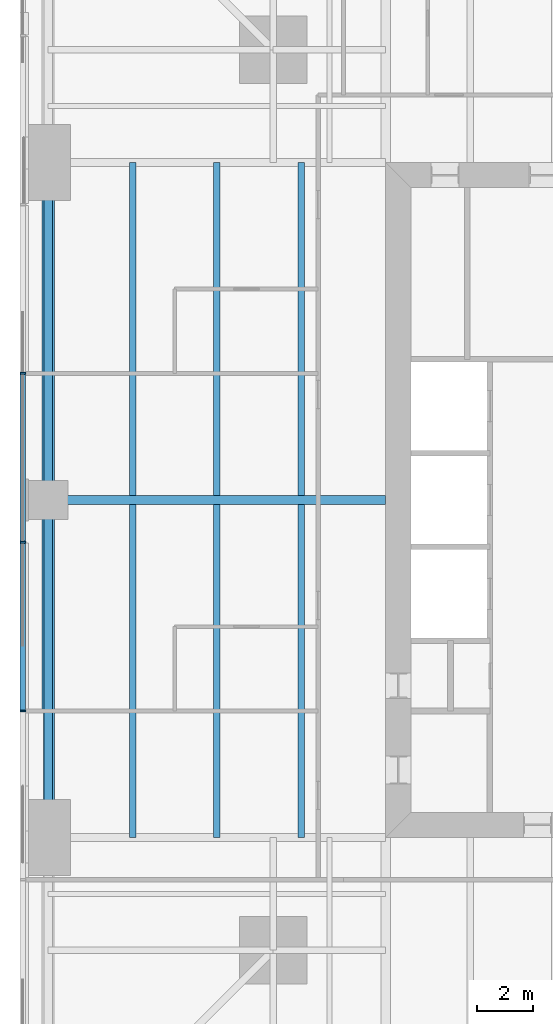
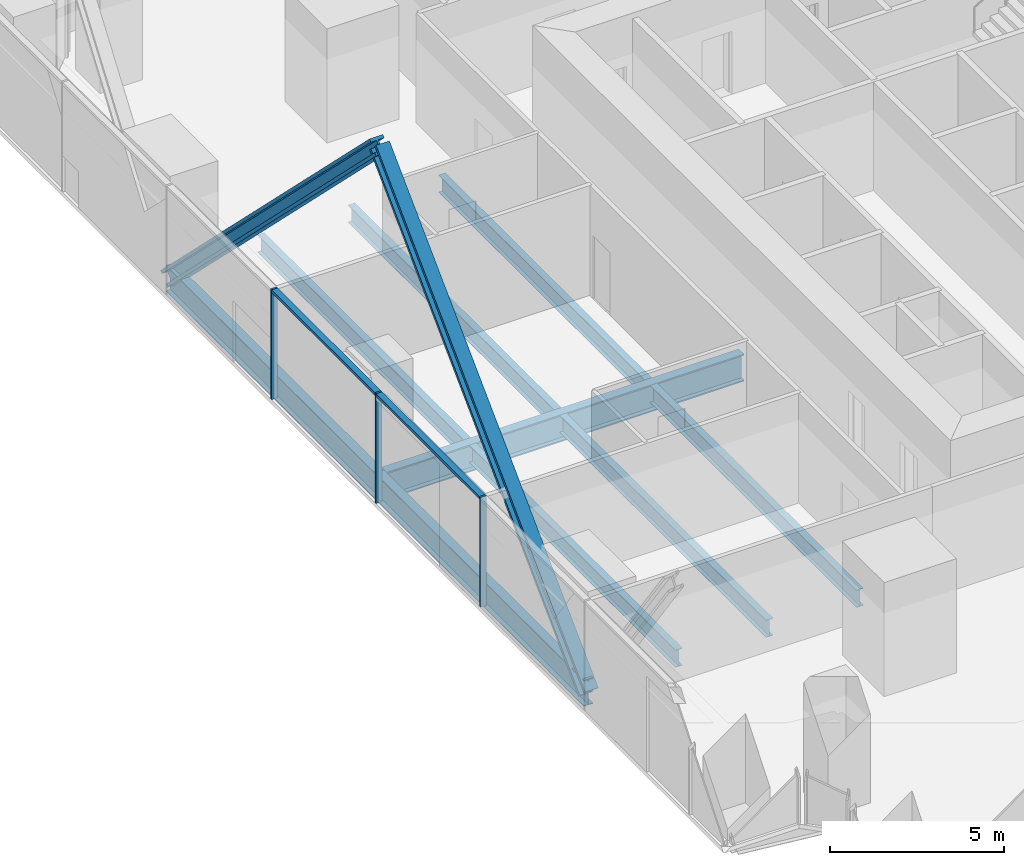
# One storey, part 4 of 14: 9 beams, 7 members, 1 element without a shape of its own.
"""IFC4 building model written with IfcOpenShell, lengths in metres."""

import ifcopenshell
import ifcopenshell.guid

model = None  # the IFC model being written
_history = None  # IfcOwnerHistory: only IFC2X3 demands one
_inside = {}  # id of a spatial element -> (the spatial element, [elements in it])
_under = {}  # id of a project, library or spatial element -> (it, [spatial elements below it])
_declared = {}  # id of a project -> (the project, [libraries it declares])
_typed = {}  # id of a type object -> (the type object, [elements of that type])
_made_of = {}  # id of a material, layer set ... -> (it, [elements and type objects made of it])


def new_model(schema):
    """Start an empty IFC model of exactly this schema.

    Asked for "IFC4X3", IfcOpenShell would pick the latest addendum, in which some entities
    have other attributes; the version numbers below select the first issue.
    IFC2X3 requires an IfcOwnerHistory on every rooted entity: one is made here for all.
    """
    global model, _history
    if schema == "IFC4X3":
        model = ifcopenshell.file(schema_version=(4, 3, 0, 0))
    else:
        model = ifcopenshell.file(schema=schema)
    _inside.clear()
    _under.clear()
    _declared.clear()
    _typed.clear()
    _made_of.clear()
    _history = None
    if model.schema == "IFC2X3":
        org = make("IfcOrganization", Name="unknown")
        user = make(
            "IfcPersonAndOrganization",
            ThePerson=make("IfcPerson", FamilyName="unknown"),
            TheOrganization=org,
        )
        app = make(
            "IfcApplication",
            ApplicationDeveloper=org,
            Version="unknown",
            ApplicationFullName="unknown",
            ApplicationIdentifier="unknown",
        )
        _history = make(
            "IfcOwnerHistory",
            OwningUser=user,
            OwningApplication=app,
            ChangeAction="ADDED",
            CreationDate=0,
        )
    return model


def make(cls, **values):
    """One entity of the class cls with the attributes given. An attribute that is None is left unset."""
    return model.create_entity(
        cls, **{name: value for name, value in values.items() if value is not None}
    )


def rooted(cls, **values):
    """An entity with a GlobalId (a new one), such as an element, a storey or a relation."""
    return make(cls, GlobalId=ifcopenshell.guid.new(), OwnerHistory=_history, **values)


def si_unit(unit_type, name, prefix=None):
    """IfcSIUnit, for example si_unit("LENGTHUNIT", "METRE", prefix="MILLI")."""
    return make("IfcSIUnit", UnitType=unit_type, Prefix=prefix, Name=name)


def assignment(units):
    """IfcUnitAssignment: the units of a project."""
    return None if units is None else make("IfcUnitAssignment", Units=units)


def point(xyz):
    """IfcCartesianPoint."""
    return None if xyz is None else make("IfcCartesianPoint", Coordinates=xyz)


def direction(xyz):
    """IfcDirection."""
    return None if xyz is None else make("IfcDirection", DirectionRatios=xyz)


def frame(location, z_axis=None, x_axis=None):
    """IfcAxis2Placement3D, a coordinate frame: its origin and axes. An axis left out is left unset."""
    return make(
        "IfcAxis2Placement3D",
        Location=point(location),
        Axis=direction(z_axis),
        RefDirection=direction(x_axis),
    )


def frame_2d(location, x_axis=None):
    """IfcAxis2Placement2D, a coordinate frame in the plane: its origin and x axis."""
    return make(
        "IfcAxis2Placement2D", Location=point(location), RefDirection=direction(x_axis)
    )


def origin():
    """The frame at (0, 0, 0) with its axes left unset."""
    return frame((0.0, 0.0, 0.0))


def origin_2d():
    """The frame at (0, 0) in the plane with its x axis left unset."""
    return frame_2d((0.0, 0.0))


def place(relative_to, where):
    """IfcLocalPlacement: puts the frame where relative to a parent placement (None: the world)."""
    return make(
        "IfcLocalPlacement", PlacementRelTo=relative_to, RelativePlacement=where
    )


def context(
    kind, dimensions, precision=None, world=None, true_north=None, identifier=None
):
    """IfcGeometricRepresentationContext, for example the 3D "Model" context."""
    return make(
        "IfcGeometricRepresentationContext",
        ContextIdentifier=identifier,
        ContextType=kind,
        CoordinateSpaceDimension=dimensions,
        Precision=precision,
        WorldCoordinateSystem=world,
        TrueNorth=true_north,
    )


def subcontext(parent, identifier, kind, view, scale=None):
    """IfcGeometricRepresentationSubContext, for example "Body" below "Model"."""
    return make(
        "IfcGeometricRepresentationSubContext",
        ContextIdentifier=identifier,
        ContextType=kind,
        ParentContext=parent,
        TargetScale=scale,
        TargetView=view,
    )


def project(units=None, contexts=None):
    """IfcProject with its units and contexts."""
    return rooted(
        "IfcProject",
        Name="project",
        RepresentationContexts=contexts,
        UnitsInContext=assignment(units),
    )


def spatial(cls, under=None, at=None, **own):
    """A site, building, storey or space (cls), placed at a placement, below another one or the project."""
    s = rooted(cls, ObjectPlacement=at, **own)
    if under is not None:
        _under.setdefault(under.id(), (under, []))[1].append(s)
    return s


def profile(cls, at=None, kind="AREA", **sizes):
    """A parametric profile (cls). Its sizes go by their IFC names, for example OverallWidth=200.0."""
    return make(cls, ProfileType=kind, Position=at, **sizes)


def rectangle(**sizes):
    """IfcRectangleProfileDef."""
    return profile("IfcRectangleProfileDef", **sizes)


def i_section(**sizes):
    """IfcIShapeProfileDef."""
    return profile("IfcIShapeProfileDef", **sizes)


def extrude(swept, where, along, depth):
    """IfcExtrudedAreaSolid: the profile swept, set in the frame where, extruded along a direction by depth."""
    return make(
        "IfcExtrudedAreaSolid",
        SweptArea=swept,
        Position=where,
        ExtrudedDirection=direction(along),
        Depth=depth,
    )


def shape(context_of_items, identifier, shape_type, items):
    """IfcShapeRepresentation: the items that make up one representation, for example the "Body"."""
    return make(
        "IfcShapeRepresentation",
        ContextOfItems=context_of_items,
        RepresentationIdentifier=identifier,
        RepresentationType=shape_type,
        Items=items,
    )


def material(Name=None, Category=None):
    """IfcMaterial."""
    return make("IfcMaterial", Name=Name, Category=Category)


def material_profile(
    of_material, cross_section, Name=None, Category=None, Priority=None
):
    """IfcMaterialProfile: a cross section and its material."""
    return make(
        "IfcMaterialProfile",
        Name=Name,
        Material=of_material,
        Profile=cross_section,
        Priority=Priority,
        Category=Category,
    )


def profile_set(profiles, Name=None, composite=None):
    """IfcMaterialProfileSet."""
    return make(
        "IfcMaterialProfileSet",
        Name=Name,
        MaterialProfiles=profiles,
        CompositeProfile=composite,
    )


def made_of(thing, what):
    """Note that an element or type object is made of a material, layer set ...; save() writes the relation."""
    if what is not None:
        _made_of.setdefault(what.id(), (what, []))[1].append(thing)
    return thing


def type_object(cls, material=None, **own):
    """A type object (cls), such as IfcWallType, which elements share."""
    return made_of(rooted(cls, **own), material)


def element(
    cls,
    number,
    at=None,
    inside=None,
    cuts=None,
    type_object=None,
    material=None,
    context=None,
    identifier="Body",
    shape_type=None,
    held_by="IfcProductDefinitionShape",
    body=None,
    shapes=None,
    **own,
):
    """One element of the class cls, such as IfcWall. Its Tag is "e" and its number.

    at: its placement. inside: the storey or other place that contains it. cuts: it is an
    opening in that element (IfcRelVoidsElement). A single representation is given by context,
    identifier, shape_type and body (its items); several are given by shapes. held_by: the class
    of the entity that holds the representations. save() writes the other relations.
    """
    e = rooted(cls, Tag="e%d" % number, ObjectPlacement=at, **own)
    if body is not None:
        shapes = [shape(context, identifier, shape_type, body)]
    if shapes is not None:
        e.Representation = make(held_by, Representations=shapes)
    if inside is not None:
        _inside.setdefault(inside.id(), (inside, []))[1].append(e)
    if cuts is not None:
        rooted(
            "IfcRelVoidsElement", RelatingBuildingElement=cuts, RelatedOpeningElement=e
        )
    if type_object is not None:
        _typed.setdefault(type_object.id(), (type_object, []))[1].append(e)
    return made_of(e, material)


def aggregate(whole, parts):
    """IfcRelAggregates: a whole, such as a stair, and the parts it consists of."""
    return rooted("IfcRelAggregates", RelatingObject=whole, RelatedObjects=parts)


def save(model, path):
    """Write the relations noted so far, then the file.

    IfcRelAggregates (storeys below a building ...), IfcRelContainedInSpatialStructure (elements
    in a storey), IfcRelDefinesByType, IfcRelAssociatesMaterial and IfcRelDeclares: one each for
    every whole, place, type object, material and project.
    """
    for whole, parts in _under.values():
        aggregate(whole, parts)
    for where, things in _inside.values():
        rooted(
            "IfcRelContainedInSpatialStructure",
            RelatedElements=things,
            RelatingStructure=where,
        )
    for kind, things in _typed.values():
        rooted("IfcRelDefinesByType", RelatedObjects=things, RelatingType=kind)
    for what, things in _made_of.values():
        rooted("IfcRelAssociatesMaterial", RelatedObjects=things, RelatingMaterial=what)
    for by, libraries in _declared.values():
        rooted("IfcRelDeclares", RelatingContext=by, RelatedDefinitions=libraries)
    model.write(path)


model = new_model("IFC4")

# Units and contexts
model_context = context("Model", 3, precision=1e-05, world=origin(), true_north=direction((0.0, 1.0)))
body_context = subcontext(model_context, "Body", "Model", "MODEL_VIEW")
ifc_project = project(units=[si_unit("LENGTHUNIT", "METRE"), si_unit("AREAUNIT", "SQUARE_METRE"), si_unit("VOLUMEUNIT", "CUBIC_METRE"), si_unit("PLANEANGLEUNIT", "RADIAN"), si_unit("MASSUNIT", "GRAM", prefix="KILO")], contexts=[model_context])

# Site, building, storey
site_placement = place(None, origin())
site = spatial("IfcSite", under=ifc_project, at=site_placement, CompositionType="ELEMENT")
building_placement = place(site_placement, origin())
building = spatial("IfcBuilding", under=site, at=building_placement, Name="Fenwick Lantern Interchange", CompositionType="ELEMENT")
storey_placement = place(building_placement, frame((0.0, 0.0, 79.0)))
storey = spatial("IfcBuildingStorey", under=building, at=storey_placement, Name="L18", CompositionType="ELEMENT", Elevation=79.0)

# Beams
ifc_material_1 = material(Name="Steel ASTM A992 Grade 50", Category="steel")
ifc_material_profile_1 = material_profile(ifc_material_1, i_section(OverallWidth=0.3046875, OverallDepth=0.911865234375, WebThickness=0.015869140625, FlangeThickness=0.02392578125, at=origin_2d()), Name="W36X150")
ifc_profile_set_1 = profile_set([ifc_material_profile_1], Name="Steel ASTM A992 Grade 50")
beam_type_1 = type_object("IfcBeamType", Name="EDGE BEAM W36X150", PredefinedType="SPANDREL", material=ifc_profile_set_1)
for number, where, z_axis, x_axis, name in (
    (1, (1.0, 37.0, -0.60595703125), (0.0, -1.0, 0.0), (1.0, 0.0, 0.0), "L18/FR/W/EB2"),
    (2, (1.0, 25.0, -0.60595703125), (0.0, -1.0, 0.0), (1.0, 0.0, 0.0), "L18/FR/W/EB3"),
):
    element("IfcBeam", number, at=place(storey_placement, frame(where, z_axis=z_axis, x_axis=x_axis)), inside=storey, type_object=beam_type_1, Name=name, PredefinedType="SPANDREL", context=body_context, shape_type="SweptSolid", body=[
        extrude(i_section(OverallWidth=0.3046875, OverallDepth=0.911865234375, WebThickness=0.015869140625, FlangeThickness=0.02392578125, at=origin_2d()), origin(), (0.0, 0.0, 1.0), 12.0),
    ])

# Members
ifc_material_profile_2 = material_profile(ifc_material_1, i_section(OverallWidth=0.44189453125, OverallDepth=0.53076171875, WebThickness=0.06591796875, FlangeThickness=0.105712890625, at=origin_2d()), Name="W14X605")
ifc_profile_set_2 = profile_set([ifc_material_profile_2], Name="Steel ASTM A992 Grade 50")
member_type_1 = type_object("IfcMemberType", Name="FACADE BRACE W14X605", PredefinedType="BRACE", material=ifc_profile_set_2)
for number, where, z_axis, x_axis, name in (
    (3, (1.0, 37.0, -0.60595703125), (0.0, -0.710495562956, 0.703701680416), (1.0, 0.0, 0.0), "L18/FB/W/A"),
    (4, (1.0, 13.0, -0.60595703125), (0.0, 0.710495562956, 0.703701680416), (-1.0, 0.0, 0.0), "L18/FB/W/B"),
):
    element("IfcMember", number, at=place(storey_placement, frame(where, z_axis=z_axis, x_axis=x_axis)), inside=storey, type_object=member_type_1, Name=name, PredefinedType="BRACE", context=body_context, shape_type="SweptSolid", body=[
        extrude(i_section(OverallWidth=0.44189453125, OverallDepth=0.53076171875, WebThickness=0.06591796875, FlangeThickness=0.105712890625, at=origin_2d()), origin(), (0.0, 0.0, 1.0), 16.8896484375),
    ])

# Beams
ifc_material_profile_3 = material_profile(ifc_material_1, i_section(OverallWidth=0.22900390625, OverallDepth=0.612060546875, WebThickness=0.011962890625, FlangeThickness=0.01953125, at=origin_2d()), Name="W24X84")
ifc_profile_set_3 = profile_set([ifc_material_profile_3], Name="Steel ASTM A992 Grade 50")
beam_type_2 = type_object("IfcBeamType", Name="FLOOR BEAM W24X84", PredefinedType="BEAM", material=ifc_profile_set_3)
for number, where, z_axis, x_axis, name in (
    (5, (4.0, 37.0, -0.4560546875), (0.0, -1.0, 0.0), (1.0, 0.0, 0.0), "L18/FR/W/B01"),
    (6, (7.0, 37.0, -0.4560546875), (0.0, -1.0, 0.0), (1.0, 0.0, 0.0), "L18/FR/W/B02"),
    (7, (10.0, 37.0, -0.4560546875), (0.0, -1.0, 0.0), (1.0, 0.0, 0.0), "L18/FR/W/B03"),
    (8, (4.0, 24.844970703125, -0.4560546875), (0.0, -1.0, 0.0), (1.0, 0.0, 0.0), "L18/FR/W/B04"),
    (9, (7.0, 24.844970703125, -0.4560546875), (0.0, -1.0, 0.0), (1.0, 0.0, 0.0), "L18/FR/W/B05"),
    (10, (10.0, 24.844970703125, -0.4560546875), (0.0, -1.0, 0.0), (1.0, 0.0, 0.0), "L18/FR/W/B06"),
):
    element("IfcBeam", number, at=place(storey_placement, frame(where, z_axis=z_axis, x_axis=x_axis)), inside=storey, type_object=beam_type_2, Name=name, PredefinedType="BEAM", context=body_context, shape_type="SweptSolid", body=[
        extrude(i_section(OverallWidth=0.22900390625, OverallDepth=0.612060546875, WebThickness=0.011962890625, FlangeThickness=0.01953125, at=origin_2d()), origin(), (0.0, 0.0, 1.0), 11.844970703125),
    ])
ifc_material_profile_4 = material_profile(ifc_material_1, i_section(OverallWidth=0.309814453125, OverallDepth=0.949951171875, WebThickness=0.0244140625, FlangeThickness=0.0439453125, at=origin_2d()), Name="W36X256")
ifc_profile_set_4 = profile_set([ifc_material_profile_4], Name="Steel ASTM A992 Grade 50")
beam_type_3 = type_object("IfcBeamType", Name="MOMENT-CONNECTED GIRDER W36X256", PredefinedType="BEAM", material=ifc_profile_set_4)
beam_placement = place(storey_placement, frame((1.0, 25.0, -0.625), z_axis=(1.0, 0.0, 0.0), x_axis=(0.0, 1.0, 0.0)))
element("IfcBeam", 11, at=beam_placement, inside=storey, type_object=beam_type_3, Name="L18/FR/W/R02", PredefinedType="BEAM", context=body_context, shape_type="SweptSolid", body=[
    extrude(i_section(OverallWidth=0.309814453125, OverallDepth=0.949951171875, WebThickness=0.0244140625, FlangeThickness=0.0439453125, at=origin_2d()), origin(), (0.0, 0.0, 1.0), 12.0),
])

# Curtain wall, members
ifc_material_2 = material(Name="Aluminium curtain wall frame", Category="aluminium")
curtain_wall_type = type_object("IfcCurtainWallType", Name="OFFICE CURTAIN WALL", PredefinedType="USERDEFINED", material=ifc_material_2)
curtain_wall_placement = place(storey_placement, origin())
curtain_wall = element("IfcCurtainWall", 12, at=curtain_wall_placement, inside=storey, type_object=curtain_wall_type, Name="Office curtain wall 13", ObjectType="OFFICE CURTAIN WALL", PredefinedType="USERDEFINED")
ifc_material_3 = material(Name="Aluminium extrusion", Category="aluminium")
ifc_material_profile_5 = material_profile(ifc_material_3, rectangle(XDim=0.199951171875, YDim=0.06494140625, at=origin_2d()), Name="OFFICE CURTAIN WALL MULLION 65 X 200")
ifc_profile_set_5 = profile_set([ifc_material_profile_5], Name="Aluminium extrusion")
member_type_2 = type_object("IfcMemberType", Name="OFFICE CURTAIN WALL MULLION 65 X 200", PredefinedType="MULLION", material=ifc_profile_set_5)
member_1_placement = place(storey_placement, frame((0.10009765625, 29.5, 0.0), z_axis=(0.0, 0.0, 1.0), x_axis=(1.0, 0.0, 0.0)))
member_1 = element("IfcMember", 13, at=member_1_placement, type_object=member_type_2, Name="L18/CW/13/M03", PredefinedType="MULLION", context=body_context, shape_type="SweptSolid", body=[
    extrude(rectangle(XDim=0.199951171875, YDim=0.06494140625, at=origin_2d()), origin(), (0.0, 0.0, 1.0), 3.85009765625),
])
member_2_placement = place(storey_placement, frame((0.10009765625, 23.5, 0.0), z_axis=(0.0, 0.0, 1.0), x_axis=(1.0, 0.0, 0.0)))
member_2 = element("IfcMember", 14, at=member_2_placement, type_object=member_type_2, Name="L18/CW/13/M04", PredefinedType="MULLION", context=body_context, shape_type="SweptSolid", body=[
    extrude(rectangle(XDim=0.199951171875, YDim=0.06494140625, at=origin_2d()), origin(), (0.0, 0.0, 1.0), 3.85009765625),
])
member_3_placement = place(storey_placement, frame((0.10009765625, 17.5, 0.0), z_axis=(0.0, 0.0, 1.0), x_axis=(1.0, 0.0, 0.0)))
member_3 = element("IfcMember", 15, at=member_3_placement, type_object=member_type_2, Name="L18/CW/13/M05", PredefinedType="MULLION", context=body_context, shape_type="SweptSolid", body=[
    extrude(rectangle(XDim=0.199951171875, YDim=0.06494140625, at=origin_2d()), origin(), (0.0, 0.0, 1.0), 3.85009765625),
])
ifc_material_profile_6 = material_profile(ifc_material_3, rectangle(XDim=0.199951171875, YDim=0.10009765625, at=origin_2d()), Name="OFFICE CURTAIN WALL TRANSOM 100 X 200")
ifc_profile_set_6 = profile_set([ifc_material_profile_6], Name="Aluminium extrusion")
member_type_3 = type_object("IfcMemberType", Name="OFFICE CURTAIN WALL TRANSOM 100 X 200", PredefinedType="MULLION", material=ifc_profile_set_6)
member_4_placement = place(storey_placement, frame((0.10009765625, 29.467529296875, 3.800048828125), z_axis=(0.0, -1.0, 0.0), x_axis=(1.0, 0.0, 0.0)))
member_4 = element("IfcMember", 16, at=member_4_placement, type_object=member_type_3, Name="L18/CW/13/T03", PredefinedType="MULLION", context=body_context, shape_type="SweptSolid", body=[
    extrude(rectangle(XDim=0.199951171875, YDim=0.10009765625, at=origin_2d()), origin(), (0.0, 0.0, 1.0), 5.93505859375),
])
member_5_placement = place(storey_placement, frame((0.10009765625, 23.467529296875, 3.800048828125), z_axis=(0.0, -1.0, 0.0), x_axis=(1.0, 0.0, 0.0)))
member_5 = element("IfcMember", 17, at=member_5_placement, type_object=member_type_3, Name="L18/CW/13/T04", PredefinedType="MULLION", context=body_context, shape_type="SweptSolid", body=[
    extrude(rectangle(XDim=0.199951171875, YDim=0.10009765625, at=origin_2d()), origin(), (0.0, 0.0, 1.0), 5.93505859375),
])
aggregate(curtain_wall, [member_1, member_2, member_3, member_4, member_5])

save(model, "model.ifc")
